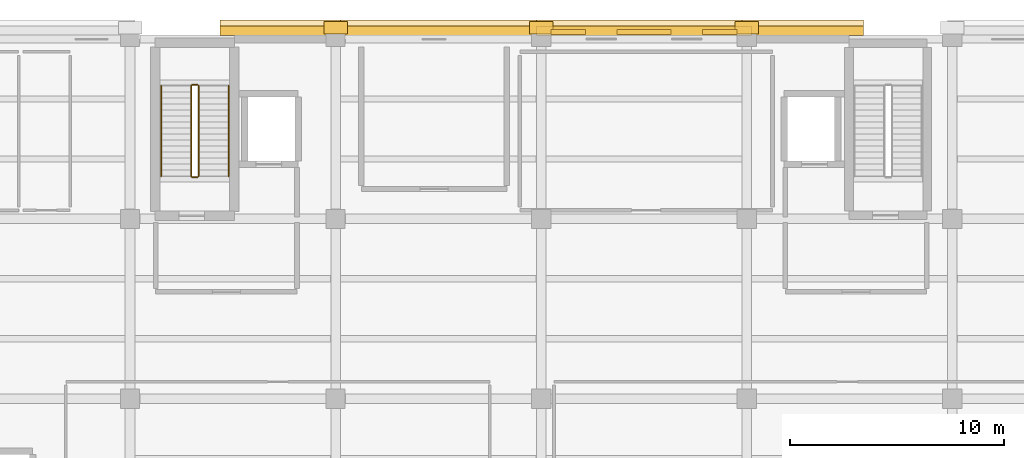
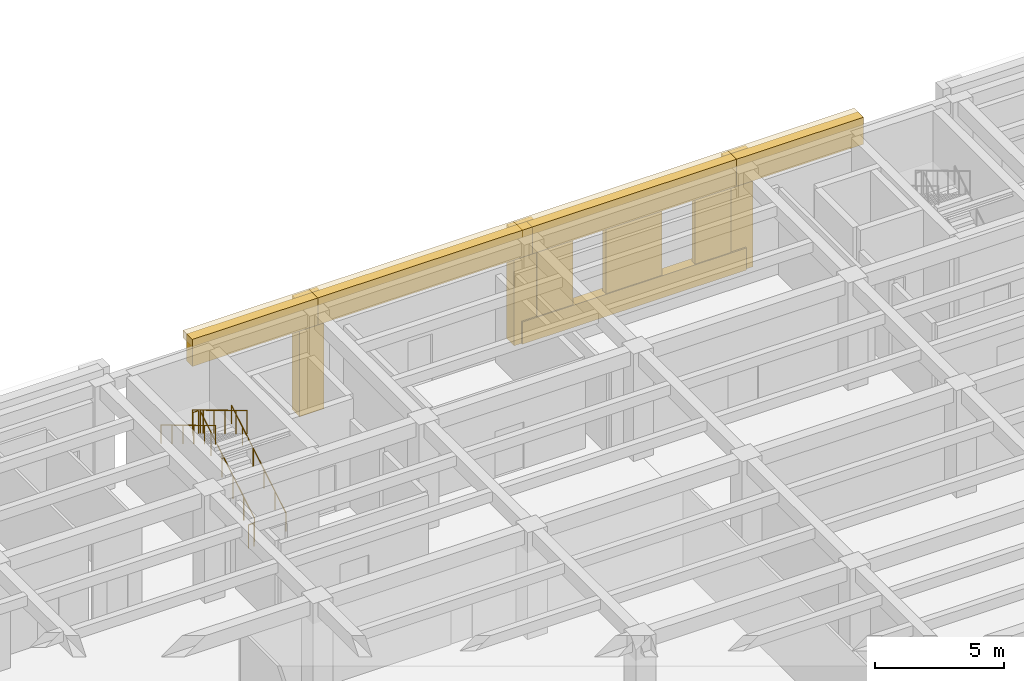
# One storey, part 47 of 51: 15 coverings, 6 railings.
"""IFC4 building model written with IfcOpenShell, lengths in metres."""

from ifc_helpers import new_model, si_unit, direction, frame, origin, origin_2d, place, context, subcontext, project, spatial, rectangle, circle, extrude, material, layer, layer_set, type_object, element, save


model = new_model("IFC4")

# Units and contexts
model_context = context("Model", 3, precision=1e-05, world=origin(), true_north=direction((0.0, 1.0)))
body_context = subcontext(model_context, "Body", "Model", "MODEL_VIEW")
ifc_project = project(units=[si_unit("LENGTHUNIT", "METRE"), si_unit("AREAUNIT", "SQUARE_METRE"), si_unit("VOLUMEUNIT", "CUBIC_METRE"), si_unit("PLANEANGLEUNIT", "RADIAN"), si_unit("MASSUNIT", "GRAM", prefix="KILO")], contexts=[model_context])

# Site, building, storey
site_placement = place(None, origin())
site = spatial("IfcSite", under=ifc_project, at=site_placement, CompositionType="ELEMENT")
building_placement = place(site_placement, origin())
building = spatial("IfcBuilding", under=site, at=building_placement, Name="Bempovik Park Faculty of Sciences", CompositionType="ELEMENT")
storey_placement = place(building_placement, origin())
storey = spatial("IfcBuildingStorey", under=building, at=storey_placement, Name="L00", CompositionType="ELEMENT", Elevation=0.0)

# Coverings
ifc_material_1 = material(Name="Precast concrete C40/50", Category="concrete")
ifc_layer_1 = layer(ifc_material_1, 0.179931640625)
ifc_layer_set_1 = layer_set([ifc_layer_1], Name="Precast concrete C40/50")
covering_type_1 = type_object("IfcCoveringType", Name="CL-02 Classical Cornice Band 180mm", PredefinedType="CLADDING", material=ifc_layer_set_1)
covering_1_placement = place(storey_placement, frame((76.612060546875, 119.929931640625, 5.0400390625), z_axis=(0.0, 0.0, 1.0), x_axis=(1.0, 0.0, 0.0)))
element("IfcCovering", 1, at=covering_1_placement, inside=storey, type_object=covering_type_1, Name="L00 Classical Projecting Dentil Cornice EW-L00-5854", PredefinedType="CLADDING", context=body_context, shape_type="SweptSolid", body=[
    extrude(rectangle(XDim=5.6220703125, YDim=0.719970703125, at=origin_2d()), origin(), (0.0, 0.0, 1.0), 0.360107421875),
])
for number, where, z_axis, x_axis, name in (
    (2, (84.0, 119.929931640625, 5.0400390625), (0.0, 0.0, 1.0), (1.0, 0.0, 0.0), "L00 Classical Projecting Dentil Cornice EW-L00-5858"),
    (3, (93.60009765625, 119.929931640625, 5.0400390625), (0.0, 0.0, 1.0), (1.0, 0.0, 0.0), "L00 Classical Projecting Dentil Cornice EW-L00-5862"),
):
    element("IfcCovering", number, at=place(storey_placement, frame(where, z_axis=z_axis, x_axis=x_axis)), inside=storey, type_object=covering_type_1, Name=name, PredefinedType="CLADDING", context=body_context, shape_type="SweptSolid", body=[
        extrude(rectangle(XDim=10.0458984375, YDim=0.719970703125, at=origin_2d()), origin(), (0.0, 0.0, 1.0), 0.360107421875),
    ])
covering_2_placement = place(storey_placement, frame((101.012939453125, 119.929931640625, 5.0400390625), z_axis=(0.0, 0.0, 1.0), x_axis=(1.0, 0.0, 0.0)))
element("IfcCovering", 4, at=covering_2_placement, inside=storey, type_object=covering_type_1, Name="L00 Classical Projecting Dentil Cornice EW-L00-5872", PredefinedType="CLADDING", context=body_context, shape_type="SweptSolid", body=[
    extrude(rectangle(XDim=5.672119140625, YDim=0.719970703125, at=origin_2d()), origin(), (0.0, 0.0, 1.0), 0.360107421875),
])
ifc_material_2 = material(Name="White reconstituted limestone precast C40/50", Category="masonry")
ifc_layer_2 = layer(ifc_material_2, 0.239990234375)
ifc_layer_set_2 = layer_set([ifc_layer_2], Name="White reconstituted limestone precast C40/50")
covering_type_2 = type_object("IfcCoveringType", Name="CL-03 Classical Fluted Limestone Pilaster 240mm", PredefinedType="CLADDING", material=ifc_layer_set_2)
covering_3_placement = place(storey_placement, frame((76.612060546875, 119.7900390625, 4.1201171875), z_axis=(0.0, 0.0, 1.0), x_axis=(1.0, 0.0, 0.0)))
element("IfcCovering", 5, at=covering_3_placement, inside=storey, type_object=covering_type_2, Name="L00 Classical Limestone Spandrel Entablature EW-L00-5854", PredefinedType="CLADDING", context=body_context, shape_type="SweptSolid", body=[
    extrude(rectangle(XDim=5.6220703125, YDim=0.43994140625, at=origin_2d()), origin(), (0.0, 0.0, 1.0), 1.280029296875),
])
covering_4_placement = place(storey_placement, frame((79.199951171875, 119.929931640625, 0.0), z_axis=(0.0, 0.0, 1.0), x_axis=(1.0, 0.0, 0.0)))
element("IfcCovering", 6, at=covering_4_placement, inside=storey, type_object=covering_type_2, Name="L00 Classical Fluted Stone Pilaster PIL-BA-L00-792-1199", PredefinedType="CLADDING", context=body_context, shape_type="SweptSolid", body=[
    extrude(rectangle(XDim=1.10009765625, YDim=0.580078125, at=origin_2d()), origin(), (0.0, 0.0, 1.0), 5.39990234375),
])
covering_5_placement = place(storey_placement, frame((84.0, 119.7900390625, 4.1201171875), z_axis=(0.0, 0.0, 1.0), x_axis=(1.0, 0.0, 0.0)))
element("IfcCovering", 7, at=covering_5_placement, inside=storey, type_object=covering_type_2, Name="L00 Classical Limestone Spandrel Entablature EW-L00-5858", PredefinedType="CLADDING", context=body_context, shape_type="SweptSolid", body=[
    extrude(rectangle(XDim=10.0458984375, YDim=0.43994140625, at=origin_2d()), origin(), (0.0, 0.0, 1.0), 1.280029296875),
])
covering_6_placement = place(storey_placement, frame((88.800048828125, 119.929931640625, 0.0), z_axis=(0.0, 0.0, 1.0), x_axis=(1.0, 0.0, 0.0)))
element("IfcCovering", 8, at=covering_6_placement, inside=storey, type_object=covering_type_2, Name="L00 Classical Fluted Stone Pilaster PIL-BA-L00-888-1199", PredefinedType="CLADDING", context=body_context, shape_type="SweptSolid", body=[
    extrude(rectangle(XDim=1.10009765625, YDim=0.580078125, at=origin_2d()), origin(), (0.0, 0.0, 1.0), 5.39990234375),
])
covering_7_placement = place(storey_placement, frame((93.60009765625, 119.7900390625, 4.1201171875), z_axis=(0.0, 0.0, 1.0), x_axis=(1.0, 0.0, 0.0)))
element("IfcCovering", 9, at=covering_7_placement, inside=storey, type_object=covering_type_2, Name="L00 Classical Limestone Spandrel Entablature EW-L00-5862", PredefinedType="CLADDING", context=body_context, shape_type="SweptSolid", body=[
    extrude(rectangle(XDim=10.0458984375, YDim=0.43994140625, at=origin_2d()), origin(), (0.0, 0.0, 1.0), 1.280029296875),
])
covering_8_placement = place(storey_placement, frame((93.60009765625, 119.7900390625, 0.0), z_axis=(0.0, 0.0, 1.0), x_axis=(1.0, 0.0, 0.0)))
element("IfcCovering", 10, at=covering_8_placement, inside=storey, type_object=covering_type_2, Name="L00 Classical Limestone Sill Dado EW-L00-5862", PredefinedType="CLADDING", context=body_context, shape_type="SweptSolid", body=[
    extrude(rectangle(XDim=10.0458984375, YDim=0.43994140625, at=origin_2d()), origin(), (0.0, 0.0, 1.0), 1.050048828125),
])
covering_9_placement = place(storey_placement, frame((98.39990234375, 119.929931640625, 0.0), z_axis=(0.0, 0.0, 1.0), x_axis=(1.0, 0.0, 0.0)))
element("IfcCovering", 11, at=covering_9_placement, inside=storey, type_object=covering_type_2, Name="L00 Classical Fluted Stone Pilaster PIL-BA-L00-984-1199", PredefinedType="CLADDING", context=body_context, shape_type="SweptSolid", body=[
    extrude(rectangle(XDim=1.10009765625, YDim=0.580078125, at=origin_2d()), origin(), (0.0, 0.0, 1.0), 5.39990234375),
])
covering_10_placement = place(storey_placement, frame((90.055908203125, 119.72998046875, 0.0), z_axis=(0.0, 0.0, 1.0), x_axis=(1.0, 0.0, 0.0)))
element("IfcCovering", 12, at=covering_10_placement, inside=storey, type_object=covering_type_2, Name="L00 White Limestone Wall Cheek EW-L00-5862-0", PredefinedType="CLADDING", context=body_context, shape_type="SweptSolid", body=[
    extrude(rectangle(XDim=1.60791015625, YDim=0.239990234375, at=origin_2d()), origin(), (0.0, 0.0, 1.0), 4.280029296875),
])
covering_11_placement = place(storey_placement, frame((93.60009765625, 119.72998046875, 0.0), z_axis=(0.0, 0.0, 1.0), x_axis=(1.0, 0.0, 0.0)))
element("IfcCovering", 13, at=covering_11_placement, inside=storey, type_object=covering_type_2, Name="L00 White Limestone Wall Cheek EW-L00-5862-2", PredefinedType="CLADDING", context=body_context, shape_type="SweptSolid", body=[
    extrude(rectangle(XDim=2.520263671875, YDim=0.239990234375, at=origin_2d()), origin(), (0.0, 0.0, 1.0), 4.280029296875),
])
covering_12_placement = place(storey_placement, frame((97.14404296875, 119.72998046875, 0.0), z_axis=(0.0, 0.0, 1.0), x_axis=(1.0, 0.0, 0.0)))
element("IfcCovering", 14, at=covering_12_placement, inside=storey, type_object=covering_type_2, Name="L00 White Limestone Wall Cheek EW-L00-5862-4", PredefinedType="CLADDING", context=body_context, shape_type="SweptSolid", body=[
    extrude(rectangle(XDim=1.60791015625, YDim=0.239990234375, at=origin_2d()), origin(), (0.0, 0.0, 1.0), 4.280029296875),
])
covering_13_placement = place(storey_placement, frame((101.012939453125, 119.7900390625, 4.1201171875), z_axis=(0.0, 0.0, 1.0), x_axis=(1.0, 0.0, 0.0)))
element("IfcCovering", 15, at=covering_13_placement, inside=storey, type_object=covering_type_2, Name="L00 Classical Limestone Spandrel Entablature EW-L00-5872", PredefinedType="CLADDING", context=body_context, shape_type="SweptSolid", body=[
    extrude(rectangle(XDim=5.672119140625, YDim=0.43994140625, at=origin_2d()), origin(), (0.0, 0.0, 1.0), 1.280029296875),
])

# Railings
ifc_material_3 = material(Name="Anodised architectural bronze")
railing_type_1 = type_object("IfcRailingType", Name="GR-01 Guardrail 1120mm", PredefinedType="GUARDRAIL", material=ifc_material_3)
railing_1_placement = place(storey_placement, frame((72.800048828125, 113.0, 0.168701171875)))
element("IfcRailing", 16, at=railing_1_placement, inside=storey, type_object=railing_type_1, Name="L00 ST-1 Stair Guard 1", PredefinedType="GUARDRAIL", context=body_context, shape_type="SweptSolid", body=[
    extrude(circle(Radius=0.02392578125, at=origin_2d()), frame((0.0, 0.0, 1.09619140625), z_axis=(0.0, 0.857492925713, 0.514495755428), x_axis=(-1.0, 0.0, 0.0)), (0.0, 0.0, 1.0), 4.919921875),
    extrude(circle(Radius=0.02099609375, at=origin_2d()), origin(), (0.0, 0.0, 1.0), 1.072021484375),
    extrude(circle(Radius=0.02099609375, at=origin_2d()), frame((0.0, 0.84375, 0.50634765625)), (0.0, 0.0, 1.0), 1.072021484375),
    extrude(circle(Radius=0.02099609375, at=origin_2d()), frame((0.0, 1.6875, 1.012451171875)), (0.0, 0.0, 1.0), 1.072021484375),
    extrude(circle(Radius=0.02099609375, at=origin_2d()), frame((0.0, 2.53125, 1.518798828125)), (0.0, 0.0, 1.0), 1.072021484375),
    extrude(circle(Radius=0.02099609375, at=origin_2d()), frame((0.0, 3.375, 2.02490234375)), (0.0, 0.0, 1.0), 1.072021484375),
    extrude(circle(Radius=0.02099609375, at=origin_2d()), frame((0.0, 4.21875, 2.53125)), (0.0, 0.0, 1.0), 1.072021484375),
])
railing_2_placement = place(storey_placement, frame((72.75, 117.268798828125, 2.699951171875)))
element("IfcRailing", 17, at=railing_2_placement, inside=storey, type_object=railing_type_1, Name="L00 ST-1 Stair Guard 2", PredefinedType="GUARDRAIL", context=body_context, shape_type="SweptSolid", body=[
    extrude(circle(Radius=0.02392578125, at=origin_2d()), frame((0.0, 0.0, 1.09619140625), z_axis=(-1.0, 0.0, 0.0), x_axis=(0.0, -1.0, 0.0)), (0.0, 0.0, 1.0), 0.25),
    extrude(circle(Radius=0.02099609375, at=origin_2d()), origin(), (0.0, 0.0, 1.0), 1.072021484375),
    extrude(circle(Radius=0.02099609375, at=origin_2d()), frame((-0.25, 0.0, 0.0)), (0.0, 0.0, 1.0), 1.072021484375),
])
railing_3_placement = place(storey_placement, frame((72.449951171875, 117.21875, 2.86865234375)))
element("IfcRailing", 18, at=railing_3_placement, inside=storey, type_object=railing_type_1, Name="L00 ST-1 Stair Guard 3", PredefinedType="GUARDRAIL", context=body_context, shape_type="SweptSolid", body=[
    extrude(circle(Radius=0.02392578125, at=origin_2d()), frame((0.0, 0.0, 1.09619140625), z_axis=(0.0, -0.857492925713, 0.514495755428), x_axis=(1.0, 0.0, 0.0)), (0.0, 0.0, 1.0), 4.919921875),
    extrude(circle(Radius=0.02099609375, at=origin_2d()), origin(), (0.0, 0.0, 1.0), 1.072021484375),
    extrude(circle(Radius=0.02099609375, at=origin_2d()), frame((0.0, -0.84375, 0.50634765625)), (0.0, 0.0, 1.0), 1.072021484375),
    extrude(circle(Radius=0.02099609375, at=origin_2d()), frame((0.0, -1.6875, 1.012451171875)), (0.0, 0.0, 1.0), 1.072021484375),
    extrude(circle(Radius=0.02099609375, at=origin_2d()), frame((0.0, -2.53125, 1.518798828125)), (0.0, 0.0, 1.0), 1.072021484375),
    extrude(circle(Radius=0.02099609375, at=origin_2d()), frame((0.0, -3.375, 2.02490234375)), (0.0, 0.0, 1.0), 1.072021484375),
    extrude(circle(Radius=0.02099609375, at=origin_2d()), frame((0.0, -4.21875, 2.53125)), (0.0, 0.0, 1.0), 1.072021484375),
])
railing_4_placement = place(storey_placement, frame((72.75, 112.949951171875, 0.0)))
element("IfcRailing", 19, at=railing_4_placement, inside=storey, type_object=railing_type_1, Name="L00 ST-1 Stair Guard 4", PredefinedType="GUARDRAIL", context=body_context, shape_type="SweptSolid", body=[
    extrude(circle(Radius=0.02392578125, at=origin_2d()), frame((0.0, 0.0, 1.09619140625), z_axis=(-1.0, 0.0, 0.0), x_axis=(0.0, -1.0, 0.0)), (0.0, 0.0, 1.0), 0.25),
    extrude(circle(Radius=0.02099609375, at=origin_2d()), origin(), (0.0, 0.0, 1.0), 1.072021484375),
    extrude(circle(Radius=0.02099609375, at=origin_2d()), frame((-0.25, 0.0, 0.0)), (0.0, 0.0, 1.0), 1.072021484375),
])
railing_type_2 = type_object("IfcRailingType", Name="HR-01 Wall Handrail 900mm", PredefinedType="HANDRAIL", material=ifc_material_3)
railing_5_placement = place(storey_placement, frame((74.199951171875, 113.0, 0.168701171875)))
element("IfcRailing", 20, at=railing_5_placement, inside=storey, type_object=railing_type_2, Name="L00 ST-1 Stair Handrail 1", PredefinedType="HANDRAIL", context=body_context, shape_type="SweptSolid", body=[
    extrude(circle(Radius=0.02392578125, at=origin_2d()), frame((0.0, 0.0, 0.8759765625), z_axis=(0.0, 0.857492925713, 0.514495755428), x_axis=(-1.0, 0.0, 0.0)), (0.0, 0.0, 1.0), 4.919921875),
    extrude(circle(Radius=0.02099609375, at=origin_2d()), origin(), (0.0, 0.0, 1.0), 0.851806640625),
    extrude(circle(Radius=0.02099609375, at=origin_2d()), frame((0.0, 0.84375, 0.50634765625)), (0.0, 0.0, 1.0), 0.851806640625),
    extrude(circle(Radius=0.02099609375, at=origin_2d()), frame((0.0, 1.6875, 1.012451171875)), (0.0, 0.0, 1.0), 0.851806640625),
    extrude(circle(Radius=0.02099609375, at=origin_2d()), frame((0.0, 2.53125, 1.518798828125)), (0.0, 0.0, 1.0), 0.851806640625),
    extrude(circle(Radius=0.02099609375, at=origin_2d()), frame((0.0, 3.375, 2.02490234375)), (0.0, 0.0, 1.0), 0.851806640625),
    extrude(circle(Radius=0.02099609375, at=origin_2d()), frame((0.0, 4.21875, 2.53125)), (0.0, 0.0, 1.0), 0.851806640625),
])
railing_6_placement = place(storey_placement, frame((71.050048828125, 117.21875, 2.86865234375)))
element("IfcRailing", 21, at=railing_6_placement, inside=storey, type_object=railing_type_2, Name="L00 ST-1 Stair Handrail 2", PredefinedType="HANDRAIL", context=body_context, shape_type="SweptSolid", body=[
    extrude(circle(Radius=0.02392578125, at=origin_2d()), frame((0.0, 0.0, 0.8759765625), z_axis=(0.0, -0.857492925713, 0.514495755428), x_axis=(1.0, 0.0, 0.0)), (0.0, 0.0, 1.0), 4.919921875),
    extrude(circle(Radius=0.02099609375, at=origin_2d()), origin(), (0.0, 0.0, 1.0), 0.851806640625),
    extrude(circle(Radius=0.02099609375, at=origin_2d()), frame((0.0, -0.84375, 0.50634765625)), (0.0, 0.0, 1.0), 0.851806640625),
    extrude(circle(Radius=0.02099609375, at=origin_2d()), frame((0.0, -1.6875, 1.012451171875)), (0.0, 0.0, 1.0), 0.851806640625),
    extrude(circle(Radius=0.02099609375, at=origin_2d()), frame((0.0, -2.53125, 1.518798828125)), (0.0, 0.0, 1.0), 0.851806640625),
    extrude(circle(Radius=0.02099609375, at=origin_2d()), frame((0.0, -3.375, 2.02490234375)), (0.0, 0.0, 1.0), 0.851806640625),
    extrude(circle(Radius=0.02099609375, at=origin_2d()), frame((0.0, -4.21875, 2.53125)), (0.0, 0.0, 1.0), 0.851806640625),
])

save(model, "model.ifc")
